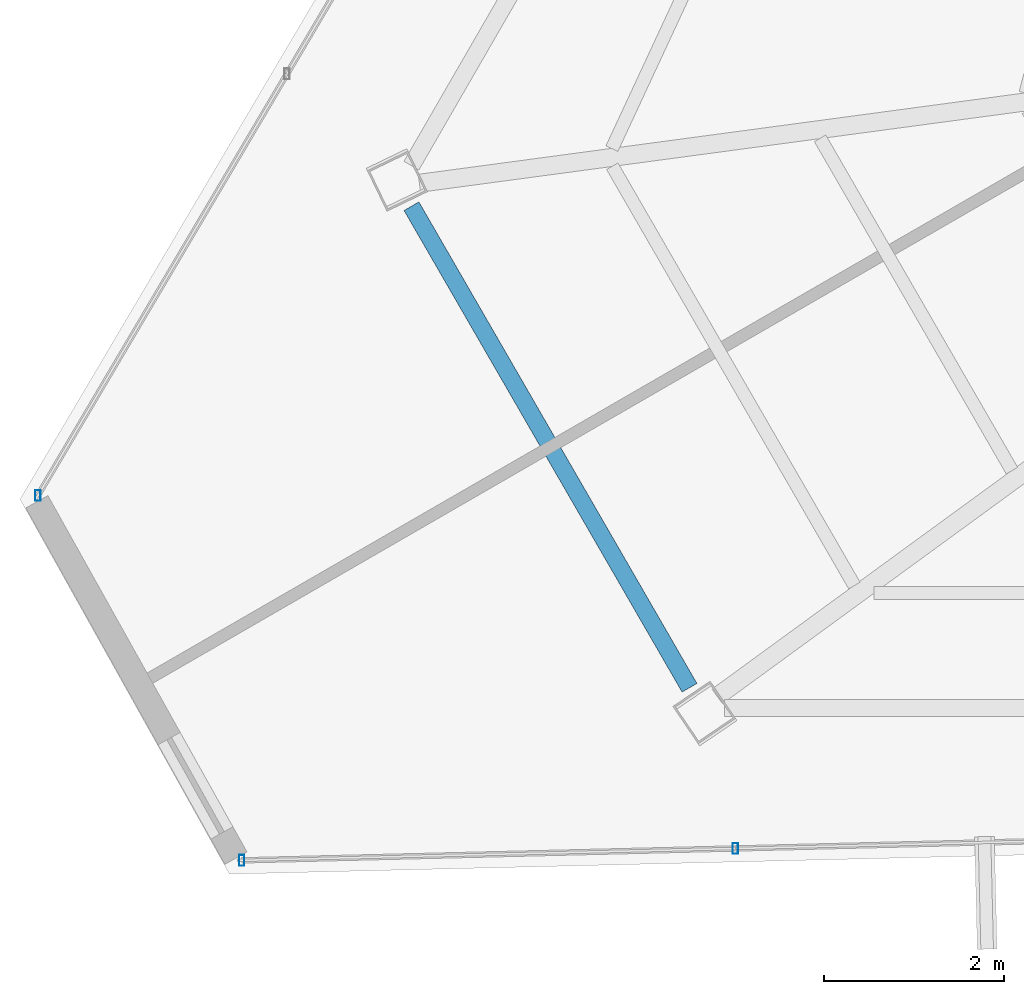
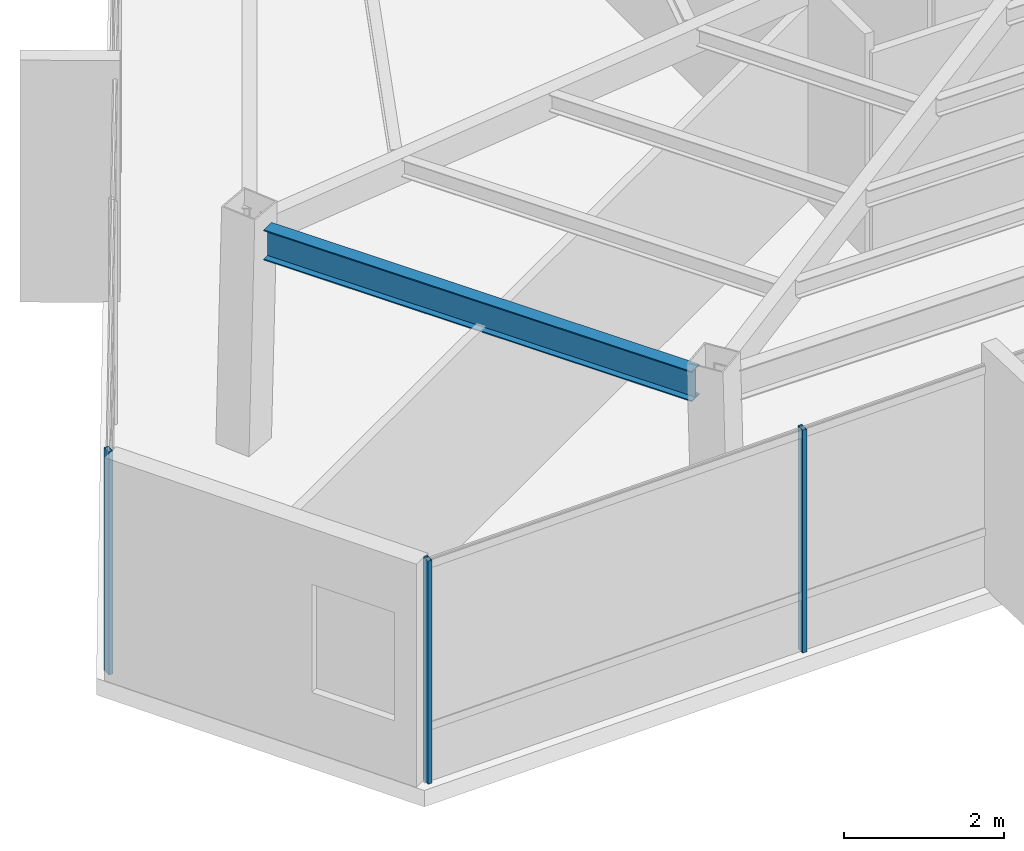
# One storey, part 3 of 45: 3 members, 1 beam, 2 elements without a shape of their own.
"""IFC4 building model written with IfcOpenShell, lengths in metres."""

from ifc_helpers import new_model, si_unit, direction, frame, origin, origin_2d, place, context, subcontext, project, spatial, hollow_rectangle, i_section, extrude, source, transform, mapped, material, material_profile, profile_set, type_object, type_shapes, element, aggregate, save


model = new_model("IFC4")

# Units and contexts
model_context = context("Model", 3, precision=1e-05, world=origin(), true_north=direction((0.0, 1.0)))
body_context = subcontext(model_context, "Body", "Model", "MODEL_VIEW")
ifc_project = project(units=[si_unit("LENGTHUNIT", "METRE"), si_unit("AREAUNIT", "SQUARE_METRE"), si_unit("VOLUMEUNIT", "CUBIC_METRE"), si_unit("PLANEANGLEUNIT", "RADIAN"), si_unit("MASSUNIT", "GRAM", prefix="KILO")], contexts=[model_context])

# Site, building, storey
site_placement = place(None, origin())
site = spatial("IfcSite", under=ifc_project, at=site_placement, CompositionType="ELEMENT")
building_placement = place(site_placement, origin())
building = spatial("IfcBuilding", under=site, at=building_placement, Name="Caelisora Broadcast Tower", CompositionType="ELEMENT")
storey_placement = place(building_placement, frame((0.0, 0.0, 273.64990234375)))
storey = spatial("IfcBuildingStorey", under=building, at=storey_placement, Name="L72", CompositionType="ELEMENT", Elevation=273.64990234375)

# Beam
ifc_material_1 = material(Name="Steel Grade 350 (AS/NZS 3679.1)", Category="steel")
ifc_material_profile_1 = material_profile(ifc_material_1, i_section(OverallWidth=0.19091796875, OverallDepth=0.46044921875, WebThickness=0.010009765625, FlangeThickness=0.01611328125, at=origin_2d()), Name="Steel Grade 350 (AS/NZS 3679.1)")
ifc_profile_set_1 = profile_set([ifc_material_profile_1], Name="Steel Grade 350 (AS/NZS 3679.1)")
beam_type = type_object("IfcBeamType", Name="PG06", PredefinedType="BEAM", material=ifc_profile_set_1)
shared_shape_1 = source(origin(), body_context, "Body", "SweptSolid", [
    extrude(i_section(OverallWidth=0.19091796875, OverallDepth=0.46044921875, WebThickness=0.010009765625, FlangeThickness=0.01611328125, at=origin_2d()), origin(), (0.0, 0.0, 1.0), 6.17333984375),
])
type_shapes(beam_type, [shared_shape_1])
beam_placement = place(storey_placement, frame((16.787841796875, 15.3173828125, 3.169921875), z_axis=(0.500035111749, -0.866005131057, 0.0), x_axis=(0.866005131057, 0.500035111749, 0.0)))
element("IfcBeam", 1, at=beam_placement, inside=storey, type_object=beam_type, Name="L72 beam PG06", PredefinedType="BEAM", context=body_context, shape_type="MappedRepresentation", body=[
    mapped(shared_shape_1, transform((0.0, 0.0, 0.0), scale=1.0)),
])

# Curtain wall, members
ifc_material_2 = material(Name="Unitised Aluminium and Low-E Glass Curtain Wall", Category="glass")
curtain_wall_type = type_object("IfcCurtainWallType", Name="CW-Z5", PredefinedType="NOTDEFINED", material=ifc_material_2)
curtain_wall_1_placement = place(storey_placement, origin())
curtain_wall_1 = element("IfcCurtainWall", 2, at=curtain_wall_1_placement, inside=storey, type_object=curtain_wall_type, Name="L72 curtain wall CW-Z5", PredefinedType="NOTDEFINED")
ifc_material_3 = material(Name="Aluminium 6063-T6 Anodised Terracotta Bronze", Category="aluminium")
ifc_material_profile_2 = material_profile(ifc_material_3, hollow_rectangle(XDim=0.06005859375, YDim=0.1201171875, WallThickness=0.0029296875, at=origin_2d()), Name="Aluminium 6063-T6 Anodised Terracotta Bronze")
ifc_profile_set_2 = profile_set([ifc_material_profile_2], Name="Aluminium 6063-T6 Anodised Terracotta Bronze")
member_type = type_object("IfcMemberType", Name="CWM-04", PredefinedType="MULLION", material=ifc_profile_set_2)
shared_shape_2 = source(origin(), body_context, "Body", "SweptSolid", [
    extrude(hollow_rectangle(XDim=0.06005859375, YDim=0.1201171875, WallThickness=0.0029296875, at=origin_2d()), origin(), (0.0, 0.0, 1.0), 3.400146484375),
])
type_shapes(member_type, [shared_shape_2])
member_1_placement = place(storey_placement, frame((20.38330078125, 8.187255859375, 0.0), z_axis=(0.0, 0.0, 1.0), x_axis=(1.0, 0.0, 0.0)))
member_1 = element("IfcMember", 3, at=member_1_placement, type_object=member_type, Name="L72-CW-B07 mullion #2", PredefinedType="MULLION", context=body_context, shape_type="MappedRepresentation", body=[
    mapped(shared_shape_2, transform((0.0, 0.0, 0.0), scale=1.0)),
])
member_2_placement = place(storey_placement, frame((14.904052734375, 8.05517578125, 0.0), z_axis=(0.0, 0.0, 1.0), x_axis=(1.0, 0.0, 0.0)))
member_2 = element("IfcMember", 4, at=member_2_placement, type_object=member_type, Name="L72-CW-B07 mullion #3", PredefinedType="MULLION", context=body_context, shape_type="MappedRepresentation", body=[
    mapped(shared_shape_2, transform((0.0, 0.0, 0.0), scale=1.0)),
])
aggregate(curtain_wall_1, [member_1, member_2])

# Curtain wall, member
curtain_wall_2_placement = place(storey_placement, origin())
curtain_wall_2 = element("IfcCurtainWall", 5, at=curtain_wall_2_placement, inside=storey, type_object=curtain_wall_type, Name="L72 curtain wall CW-Z5", PredefinedType="NOTDEFINED")
member_3_placement = place(storey_placement, frame((12.640380859375, 12.10498046875, 0.0), z_axis=(0.0, 0.0, 1.0), x_axis=(1.0, 0.0, 0.0)))
member_3 = element("IfcMember", 6, at=member_3_placement, type_object=member_type, Name="L72-CW-B09 mullion #0", PredefinedType="MULLION", context=body_context, shape_type="MappedRepresentation", body=[
    mapped(shared_shape_2, transform((0.0, 0.0, 0.0), scale=1.0)),
])
aggregate(curtain_wall_2, [member_3])

save(model, "model.ifc")
